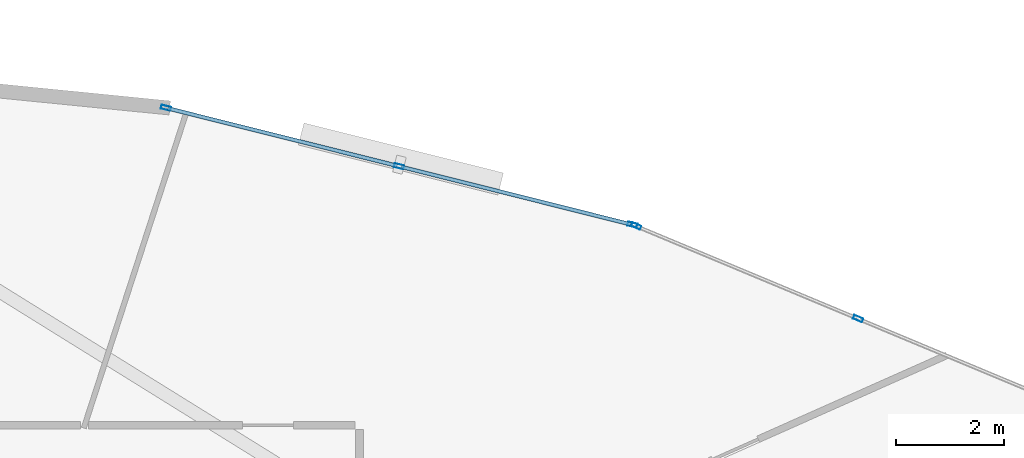
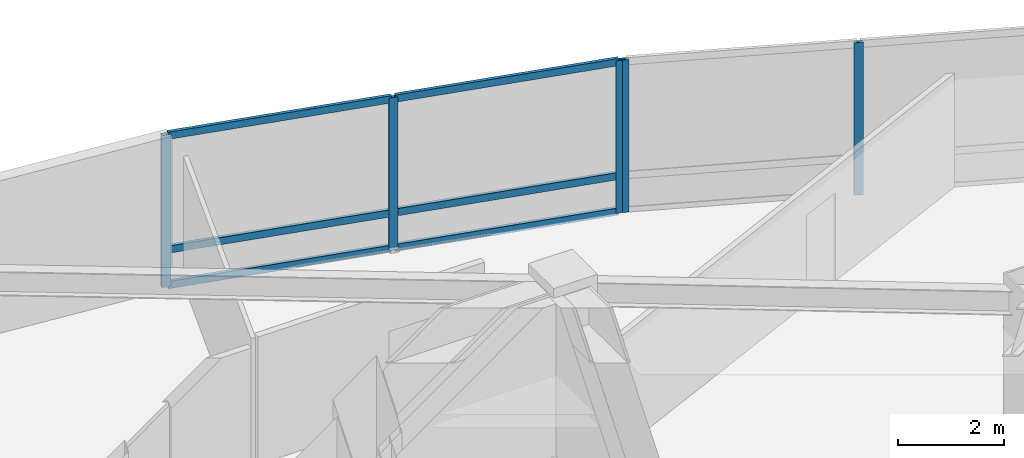
# One storey, part 9 of 18: 11 members, 2 elements without a shape of their own.
"""IFC4 building model written with IfcOpenShell, lengths in metres."""

from ifc_helpers import new_model, si_unit, direction, frame, origin, origin_2d, place, context, subcontext, project, spatial, hollow_rectangle, extrude, material, layer, layer_set, material_profile, profile_set, type_object, element, aggregate, save


model = new_model("IFC4")

# Units and contexts
model_context = context("Model", 3, precision=1e-05, world=origin(), true_north=direction((0.0, 1.0)))
body_context = subcontext(model_context, "Body", "Model", "MODEL_VIEW")
ifc_project = project(units=[si_unit("LENGTHUNIT", "METRE"), si_unit("AREAUNIT", "SQUARE_METRE"), si_unit("VOLUMEUNIT", "CUBIC_METRE"), si_unit("PLANEANGLEUNIT", "RADIAN"), si_unit("MASSUNIT", "GRAM", prefix="KILO")], contexts=[model_context])

# Site, building, storey
site_placement = place(None, origin())
site = spatial("IfcSite", under=ifc_project, at=site_placement, CompositionType="ELEMENT")
building_placement = place(site_placement, origin())
building = spatial("IfcBuilding", under=site, at=building_placement, Name="Menara Vayukalpa", CompositionType="ELEMENT")
storey_placement = place(building_placement, frame((0.0, 0.0, 161.760009765625)))
storey = spatial("IfcBuildingStorey", under=building, at=storey_placement, Name="L40", CompositionType="ELEMENT", Elevation=161.760009765625)

# Curtain wall, members
ifc_material_1 = material(Name="Anodised Terracotta Aluminium Alloy 6063-T6", Category="masonry")
ifc_layer = layer(ifc_material_1, 0.179931640625)
ifc_layer_set = layer_set([ifc_layer], Name="Anodised Terracotta Aluminium Alloy 6063-T6")
curtain_wall_type = type_object("IfcCurtainWallType", Name="CW-CW4", PredefinedType="USERDEFINED", material=ifc_layer_set)
curtain_wall_1_placement = place(storey_placement, origin())
curtain_wall_1 = element("IfcCurtainWall", 1, at=curtain_wall_1_placement, inside=storey, type_object=curtain_wall_type, Name="L40 Sky Bar Cantilever Glazed Curtain Wall CW4 04", ObjectType="UNITISED", PredefinedType="USERDEFINED")
ifc_material_2 = material(Name="Anodised Terracotta Aluminium Alloy 6063-T6", Category="masonry")
ifc_material_profile_1 = material_profile(ifc_material_2, hollow_rectangle(XDim=0.074951171875, YDim=0.179931640625, WallThickness=0.00390625, at=origin_2d()), Name="ALU 75x180x4")
ifc_profile_set_1 = profile_set([ifc_material_profile_1], Name="Anodised Terracotta Aluminium Alloy 6063-T6")
member_type_1 = type_object("IfcMemberType", Name="CWM-CW4", PredefinedType="MULLION", material=ifc_profile_set_1)
member_1_placement = place(storey_placement, frame((42.098388671875, 30.75146484375, 0.0), z_axis=(0.0, 0.0, 1.0), x_axis=(-0.385091352437, -0.922878459104, 0.0)))
member_1 = element("IfcMember", 2, at=member_1_placement, type_object=member_type_1, Name="CW4 mullion 2", PredefinedType="MULLION", context=body_context, shape_type="SweptSolid", body=[
    extrude(hollow_rectangle(XDim=0.074951171875, YDim=0.179931640625, WallThickness=0.00390625, at=origin_2d()), origin(), (0.0, 0.0, 1.0), 3.5),
])
member_2_placement = place(storey_placement, frame((37.996337890625, 32.463134765625, 0.0), z_axis=(0.0, 0.0, 1.0), x_axis=(-0.385091352437, -0.922878459104, 0.0)))
member_2 = element("IfcMember", 3, at=member_2_placement, type_object=member_type_1, Name="CW4 mullion 3", PredefinedType="MULLION", context=body_context, shape_type="SweptSolid", body=[
    extrude(hollow_rectangle(XDim=0.074951171875, YDim=0.179931640625, WallThickness=0.00390625, at=origin_2d()), origin(), (0.0, 0.0, 1.0), 3.5),
])
aggregate(curtain_wall_1, [member_1, member_2])

curtain_wall_2_placement = place(storey_placement, origin())
curtain_wall_2 = element("IfcCurtainWall", 4, at=curtain_wall_2_placement, inside=storey, type_object=curtain_wall_type, Name="L40 Sky Bar Cantilever Glazed Curtain Wall CW4 05", ObjectType="UNITISED", PredefinedType="USERDEFINED")
member_3_placement = place(storey_placement, frame((37.92529296875, 32.48681640625, 0.0), z_axis=(0.0, 0.0, 1.0), x_axis=(-0.243112993066, -0.969997975566, 0.0)))
member_3 = element("IfcMember", 5, at=member_3_placement, type_object=member_type_1, Name="CW4 mullion 1", PredefinedType="MULLION", context=body_context, shape_type="SweptSolid", body=[
    extrude(hollow_rectangle(XDim=0.074951171875, YDim=0.179931640625, WallThickness=0.00390625, at=origin_2d()), origin(), (0.0, 0.0, 1.0), 3.5),
])
member_4_placement = place(storey_placement, frame((33.61376953125, 33.5673828125, 0.0), z_axis=(0.0, 0.0, 1.0), x_axis=(-0.243112993066, -0.969997975566, 0.0)))
member_4 = element("IfcMember", 6, at=member_4_placement, type_object=member_type_1, Name="CW4 mullion 2", PredefinedType="MULLION", context=body_context, shape_type="SweptSolid", body=[
    extrude(hollow_rectangle(XDim=0.074951171875, YDim=0.179931640625, WallThickness=0.00390625, at=origin_2d()), origin(), (0.0, 0.0, 1.0), 3.5),
])
member_5_placement = place(storey_placement, frame((29.302001953125, 34.64794921875, 0.0), z_axis=(0.0, 0.0, 1.0), x_axis=(-0.243112993066, -0.969997975566, 0.0)))
member_5 = element("IfcMember", 7, at=member_5_placement, type_object=member_type_1, Name="CW4 mullion 3", PredefinedType="MULLION", context=body_context, shape_type="SweptSolid", body=[
    extrude(hollow_rectangle(XDim=0.074951171875, YDim=0.179931640625, WallThickness=0.00390625, at=origin_2d()), origin(), (0.0, 0.0, 1.0), 3.5),
])
ifc_material_3 = material(Name="Anodised Terracotta Aluminium Alloy 6063-T6", Category="masonry")
ifc_material_profile_2 = material_profile(ifc_material_3, hollow_rectangle(XDim=0.070068359375, YDim=0.1650390625, WallThickness=0.00390625, at=origin_2d()), Name="ALU 70x165x4")
ifc_profile_set_2 = profile_set([ifc_material_profile_2], Name="Anodised Terracotta Aluminium Alloy 6063-T6")
member_type_2 = type_object("IfcMemberType", Name="CWT-CW4", PredefinedType="USERDEFINED", material=ifc_profile_set_2)
member_6_placement = place(storey_placement, frame((37.888916015625, 32.495849609375, 0.034912109375), z_axis=(-0.969991137753, 0.243140273672, 0.0), x_axis=(-0.243140273672, -0.969991137753, 0.0)))
member_6 = element("IfcMember", 8, at=member_6_placement, type_object=member_type_2, Name="CW4 transom 1.1", ObjectType="TRANSOM", PredefinedType="USERDEFINED", context=body_context, shape_type="SweptSolid", body=[
    extrude(hollow_rectangle(XDim=0.070068359375, YDim=0.1650390625, WallThickness=0.00390625, at=origin_2d()), origin(), (0.0, 0.0, 1.0), 4.369873046875),
])
member_7_placement = place(storey_placement, frame((37.888916015625, 32.495849609375, 0.85009765625), z_axis=(-0.969991137753, 0.243140273672, 0.0), x_axis=(-0.243140273672, -0.969991137753, 0.0)))
member_7 = element("IfcMember", 9, at=member_7_placement, type_object=member_type_2, Name="CW4 transom 1.2", ObjectType="TRANSOM", PredefinedType="USERDEFINED", context=body_context, shape_type="SweptSolid", body=[
    extrude(hollow_rectangle(XDim=0.070068359375, YDim=0.1650390625, WallThickness=0.00390625, at=origin_2d()), origin(), (0.0, 0.0, 1.0), 4.369873046875),
])
member_8_placement = place(storey_placement, frame((37.888916015625, 32.495849609375, 3.465087890625), z_axis=(-0.969991137753, 0.243140273672, 0.0), x_axis=(-0.243140273672, -0.969991137753, 0.0)))
member_8 = element("IfcMember", 10, at=member_8_placement, type_object=member_type_2, Name="CW4 transom 1.3", ObjectType="TRANSOM", PredefinedType="USERDEFINED", context=body_context, shape_type="SweptSolid", body=[
    extrude(hollow_rectangle(XDim=0.070068359375, YDim=0.1650390625, WallThickness=0.00390625, at=origin_2d()), origin(), (0.0, 0.0, 1.0), 4.369873046875),
])
member_9_placement = place(storey_placement, frame((33.577392578125, 33.576416015625, 0.034912109375), z_axis=(-0.969994440281, 0.243127098088, 0.0), x_axis=(-0.243127098088, -0.969994440281, 0.0)))
member_9 = element("IfcMember", 11, at=member_9_placement, type_object=member_type_2, Name="CW4 transom 2.1", ObjectType="TRANSOM", PredefinedType="USERDEFINED", context=body_context, shape_type="SweptSolid", body=[
    extrude(hollow_rectangle(XDim=0.070068359375, YDim=0.1650390625, WallThickness=0.00390625, at=origin_2d()), origin(), (0.0, 0.0, 1.0), 4.3701171875),
])
member_10_placement = place(storey_placement, frame((33.577392578125, 33.576416015625, 0.85009765625), z_axis=(-0.969994440281, 0.243127098088, 0.0), x_axis=(-0.243127098088, -0.969994440281, 0.0)))
member_10 = element("IfcMember", 12, at=member_10_placement, type_object=member_type_2, Name="CW4 transom 2.2", ObjectType="TRANSOM", PredefinedType="USERDEFINED", context=body_context, shape_type="SweptSolid", body=[
    extrude(hollow_rectangle(XDim=0.070068359375, YDim=0.1650390625, WallThickness=0.00390625, at=origin_2d()), origin(), (0.0, 0.0, 1.0), 4.3701171875),
])
member_11_placement = place(storey_placement, frame((33.577392578125, 33.576416015625, 3.465087890625), z_axis=(-0.969994440281, 0.243127098088, 0.0), x_axis=(-0.243127098088, -0.969994440281, 0.0)))
member_11 = element("IfcMember", 13, at=member_11_placement, type_object=member_type_2, Name="CW4 transom 2.3", ObjectType="TRANSOM", PredefinedType="USERDEFINED", context=body_context, shape_type="SweptSolid", body=[
    extrude(hollow_rectangle(XDim=0.070068359375, YDim=0.1650390625, WallThickness=0.00390625, at=origin_2d()), origin(), (0.0, 0.0, 1.0), 4.3701171875),
])
aggregate(curtain_wall_2, [member_3, member_4, member_5, member_6, member_7, member_8, member_9, member_10, member_11])

save(model, "model.ifc")
